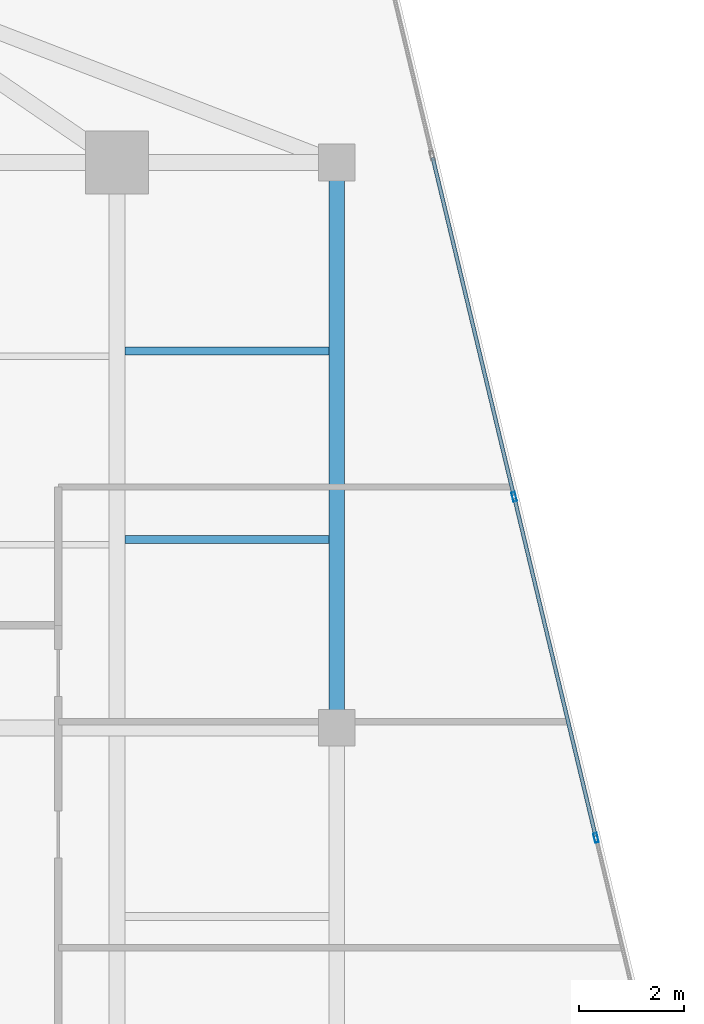
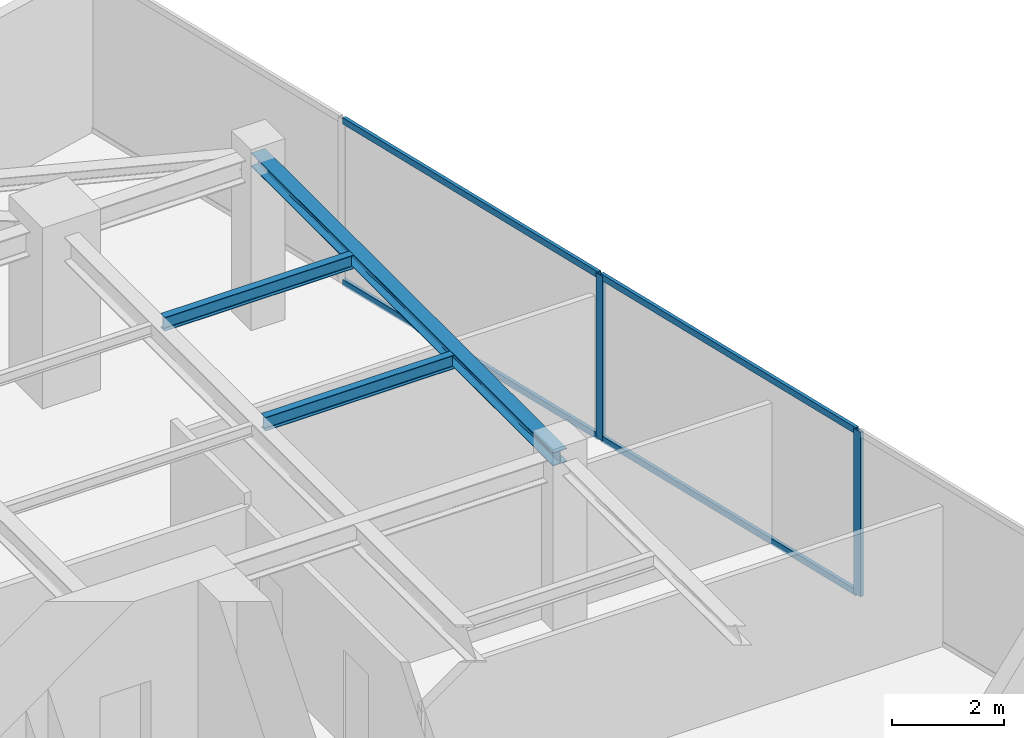
# One storey, part 11 of 22: 6 members, 3 beams, 1 element without a shape of its own.
"""IFC4 building model written with IfcOpenShell, lengths in metres."""

from ifc_helpers import new_model, si_unit, direction, frame, origin, origin_2d, place, context, subcontext, project, spatial, hollow_rectangle, i_section, extrude, source, transform, mapped, material, material_profile, profile_set, type_object, type_shapes, element, aggregate, save


model = new_model("IFC4")

# Units and contexts
model_context = context("Model", 3, precision=1e-05, world=origin(), true_north=direction((0.0, 1.0)))
body_context = subcontext(model_context, "Body", "Model", "MODEL_VIEW")
ifc_project = project(units=[si_unit("LENGTHUNIT", "METRE"), si_unit("AREAUNIT", "SQUARE_METRE"), si_unit("VOLUMEUNIT", "CUBIC_METRE"), si_unit("PLANEANGLEUNIT", "RADIAN"), si_unit("MASSUNIT", "GRAM", prefix="KILO")], contexts=[model_context])

# Site, building, storey
site_placement = place(None, origin())
site = spatial("IfcSite", under=ifc_project, at=site_placement, CompositionType="ELEMENT")
building_placement = place(site_placement, origin())
building = spatial("IfcBuilding", under=site, at=building_placement, Name="Krantzveldt Concourse Tower", CompositionType="ELEMENT")
storey_placement = place(building_placement, frame((0.0, 0.0, 359.300048828125)))
storey = spatial("IfcBuildingStorey", under=building, at=storey_placement, Name="L88", CompositionType="ELEMENT", Elevation=359.300048828125)

# Beams
ifc_material_1 = material(Name="Steel S355JR", Category="steel")
ifc_material_profile_1 = material_profile(ifc_material_1, i_section(OverallWidth=0.2900390625, OverallDepth=0.2900390625, WebThickness=0.008544921875, FlangeThickness=0.013916015625, FilletRadius=0.027099609375, at=origin_2d()), Name="Steel S355JR", Category="steel")
ifc_profile_set_1 = profile_set([ifc_material_profile_1], Name="Steel S355JR - HEA 300")
beam_type_1 = type_object("IfcBeamType", Name="BM-SP-HEA300", PredefinedType="SPANDREL", material=ifc_profile_set_1)
shared_shape_1 = source(origin(), body_context, "Body", "SweptSolid", [
    extrude(i_section(OverallWidth=0.2900390625, OverallDepth=0.2900390625, WebThickness=0.008544921875, FlangeThickness=0.013916015625, FilletRadius=0.027099609375, at=origin_2d()), origin(), (0.0, 0.0, 1.0), 10.800048828125),
])
type_shapes(beam_type_1, [shared_shape_1])
beam_placement = place(storey_placement, frame((51.0, 37.5, 3.454833984375), z_axis=(0.0, -1.0, 0.0), x_axis=(1.0, 0.0, 0.0)))
element("IfcBeam", 1, at=beam_placement, inside=storey, type_object=beam_type_1, Name="L88 Tower Girder SP-R06", PredefinedType="SPANDREL", context=body_context, shape_type="MappedRepresentation", body=[
    mapped(shared_shape_1, transform((0.0, 0.0, 0.0), x_axis=(1.0, 0.0, 0.0), y_axis=(0.0, 1.0, 0.0), z_axis=(0.0, 0.0, 1.0), scale=1.0)),
])
ifc_material_profile_2 = material_profile(ifc_material_1, i_section(OverallWidth=0.14990234375, OverallDepth=0.300048828125, WebThickness=0.007080078125, FlangeThickness=0.0107421875, FilletRadius=0.014892578125, at=origin_2d()), Name="Steel S355JR", Category="steel")
ifc_profile_set_2 = profile_set([ifc_material_profile_2], Name="Steel S355JR - IPE 300")
beam_type_2 = type_object("IfcBeamType", Name="BM-J-IPE300", PredefinedType="JOIST", material=ifc_profile_set_2)
shared_shape_2 = source(origin(), body_context, "Body", "SweptSolid", [
    extrude(i_section(OverallWidth=0.14990234375, OverallDepth=0.300048828125, WebThickness=0.007080078125, FlangeThickness=0.0107421875, FilletRadius=0.014892578125, at=origin_2d()), origin(), (0.0, 0.0, 1.0), 3.900146484375),
])
type_shapes(beam_type_2, [shared_shape_2])
for number, where, z_axis, x_axis, name in (
    (2, (46.949951171875, 30.300048828125, 3.449951171875), (1.0, 0.0, 0.0), (0.0, 1.0, 0.0), "L88 Secondary Floor Joist JE-3"),
    (3, (46.949951171875, 33.89990234375, 3.449951171875), (1.0, 0.0, 0.0), (0.0, 1.0, 0.0), "L88 Secondary Floor Joist JE-4"),
):
    element("IfcBeam", number, at=place(storey_placement, frame(where, z_axis=z_axis, x_axis=x_axis)), inside=storey, type_object=beam_type_2, Name=name, PredefinedType="JOIST", context=body_context, shape_type="MappedRepresentation", body=[
        mapped(shared_shape_2, transform((0.0, 0.0, 0.0), x_axis=(1.0, 0.0, 0.0), y_axis=(0.0, 1.0, 0.0), z_axis=(0.0, 0.0, 1.0), scale=1.0)),
    ])

# Curtain wall, members
ifc_material_2 = material(Name="Anodised aluminium 6063-T6", Category="aluminium")
curtain_wall_type = type_object("IfcCurtainWallType", Name="CW4", PredefinedType="USERDEFINED", material=ifc_material_2)
curtain_wall_placement = place(storey_placement, origin())
curtain_wall = element("IfcCurtainWall", 4, at=curtain_wall_placement, inside=storey, type_object=curtain_wall_type, Name="CW-L88-F10", ObjectType="UNITISED CURTAIN WALL", PredefinedType="USERDEFINED")
ifc_material_profile_3 = material_profile(ifc_material_2, hollow_rectangle(XDim=0.070068359375, YDim=0.139892578125, WallThickness=0.0048828125, at=origin_2d()), Name="Anodised aluminium 6063-T6", Category="aluminium")
ifc_profile_set_3 = profile_set([ifc_material_profile_3], Name="Anodised aluminium 6063-T6 - ALU-TRAN 140x70x5")
member_type_1 = type_object("IfcMemberType", Name="CW-TRN-150", PredefinedType="USERDEFINED", material=ifc_profile_set_3)
shared_shape_3 = source(origin(), body_context, "Body", "SweptSolid", [
    extrude(hollow_rectangle(XDim=0.070068359375, YDim=0.139892578125, WallThickness=0.0048828125, at=origin_2d()), origin(), (0.0, 0.0, 1.0), 6.6298828125),
])
type_shapes(member_type_1, [shared_shape_3])
member_1_placement = place(storey_placement, frame((55.943359375, 24.633544921875, 0.034912109375), z_axis=(-0.233427268888, 0.972374264437, 0.0), x_axis=(-0.972374264437, -0.233427268888, 0.0)))
member_1 = element("IfcMember", 5, at=member_1_placement, type_object=member_type_1, Name="CW-Z56 transom 2.1", ObjectType="TRANSOM", PredefinedType="USERDEFINED", context=body_context, shape_type="MappedRepresentation", body=[
    mapped(shared_shape_3, transform((0.0, 0.0, 0.0), x_axis=(1.0, 0.0, 0.0), y_axis=(0.0, 1.0, 0.0), z_axis=(0.0, 0.0, 1.0), scale=1.0)),
])
member_2_placement = place(storey_placement, frame((55.943359375, 24.633544921875, 3.56494140625), z_axis=(-0.233427268888, 0.972374264437, 0.0), x_axis=(-0.972374264437, -0.233427268888, 0.0)))
member_2 = element("IfcMember", 6, at=member_2_placement, type_object=member_type_1, Name="CW-Z56 transom 2.2", ObjectType="TRANSOM", PredefinedType="USERDEFINED", context=body_context, shape_type="MappedRepresentation", body=[
    mapped(shared_shape_3, transform((0.0, 0.0, 0.0), x_axis=(1.0, 0.0, 0.0), y_axis=(0.0, 1.0, 0.0), z_axis=(0.0, 0.0, 1.0), scale=1.0)),
])
member_3_placement = place(storey_placement, frame((54.37939453125, 31.1484375, 0.034912109375), z_axis=(-0.233462085953, 0.972365905625, 0.0), x_axis=(-0.972365905625, -0.233462085953, 0.0)))
member_3 = element("IfcMember", 7, at=member_3_placement, type_object=member_type_1, Name="CW-Z56 transom 3.1", ObjectType="TRANSOM", PredefinedType="USERDEFINED", context=body_context, shape_type="MappedRepresentation", body=[
    mapped(shared_shape_3, transform((0.0, 0.0, 0.0), x_axis=(1.0, 0.0, 0.0), y_axis=(0.0, 1.0, 0.0), z_axis=(0.0, 0.0, 1.0), scale=1.0)),
])
member_4_placement = place(storey_placement, frame((54.37939453125, 31.1484375, 3.56494140625), z_axis=(-0.233462085953, 0.972365905625, 0.0), x_axis=(-0.972365905625, -0.233462085953, 0.0)))
member_4 = element("IfcMember", 8, at=member_4_placement, type_object=member_type_1, Name="CW-Z56 transom 3.2", ObjectType="TRANSOM", PredefinedType="USERDEFINED", context=body_context, shape_type="MappedRepresentation", body=[
    mapped(shared_shape_3, transform((0.0, 0.0, 0.0), x_axis=(1.0, 0.0, 0.0), y_axis=(0.0, 1.0, 0.0), z_axis=(0.0, 0.0, 1.0), scale=1.0)),
])
ifc_material_profile_4 = material_profile(ifc_material_2, hollow_rectangle(XDim=0.070068359375, YDim=0.179931640625, WallThickness=0.0048828125, at=origin_2d()), Name="Anodised aluminium 6063-T6", Category="aluminium")
ifc_profile_set_4 = profile_set([ifc_material_profile_4], Name="Anodised aluminium 6063-T6 - ALU-MULL 180x70x5")
member_type_2 = type_object("IfcMemberType", Name="CW-MUL-180", PredefinedType="MULLION", material=ifc_profile_set_4)
shared_shape_4 = source(origin(), body_context, "Body", "SweptSolid", [
    extrude(hollow_rectangle(XDim=0.070068359375, YDim=0.179931640625, WallThickness=0.0048828125, at=origin_2d()), origin(), (0.0, 0.0, 1.0), 3.599853515625),
])
type_shapes(member_type_2, [shared_shape_4])
member_5_placement = place(storey_placement, frame((55.95166015625, 24.599609375, 0.0), z_axis=(0.0, 0.0, 1.0), x_axis=(-0.972369896884, -0.233445461796, 0.0)))
member_5 = element("IfcMember", 9, at=member_5_placement, type_object=member_type_2, Name="CW-Z56 mullion 2", PredefinedType="MULLION", context=body_context, shape_type="MappedRepresentation", body=[
    mapped(shared_shape_4, transform((0.0, 0.0, 0.0), x_axis=(1.0, 0.0, 0.0), y_axis=(0.0, 1.0, 0.0), z_axis=(0.0, 0.0, 1.0), scale=1.0)),
])
member_6_placement = place(storey_placement, frame((54.387451171875, 31.114501953125, 0.0), z_axis=(0.0, 0.0, 1.0), x_axis=(-0.972369896884, -0.233445461796, 0.0)))
member_6 = element("IfcMember", 10, at=member_6_placement, type_object=member_type_2, Name="CW-Z56 mullion 3", PredefinedType="MULLION", context=body_context, shape_type="MappedRepresentation", body=[
    mapped(shared_shape_4, transform((0.0, 0.0, 0.0), x_axis=(1.0, 0.0, 0.0), y_axis=(0.0, 1.0, 0.0), z_axis=(0.0, 0.0, 1.0), scale=1.0)),
])
aggregate(curtain_wall, [member_5, member_6, member_1, member_2, member_3, member_4])

save(model, "model.ifc")
